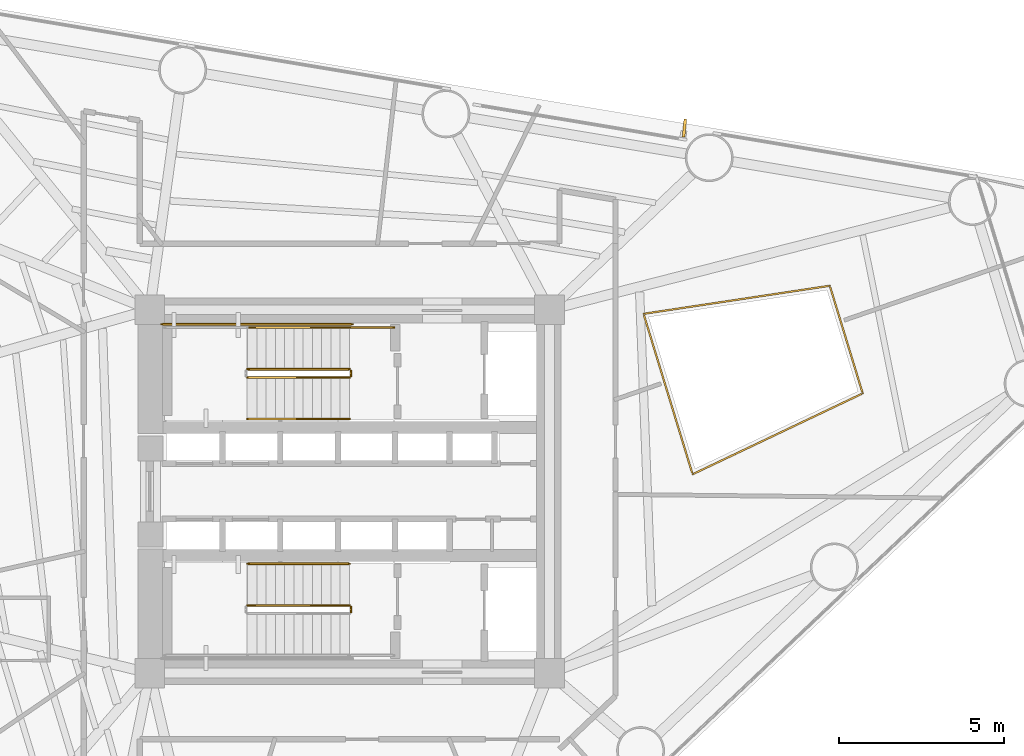
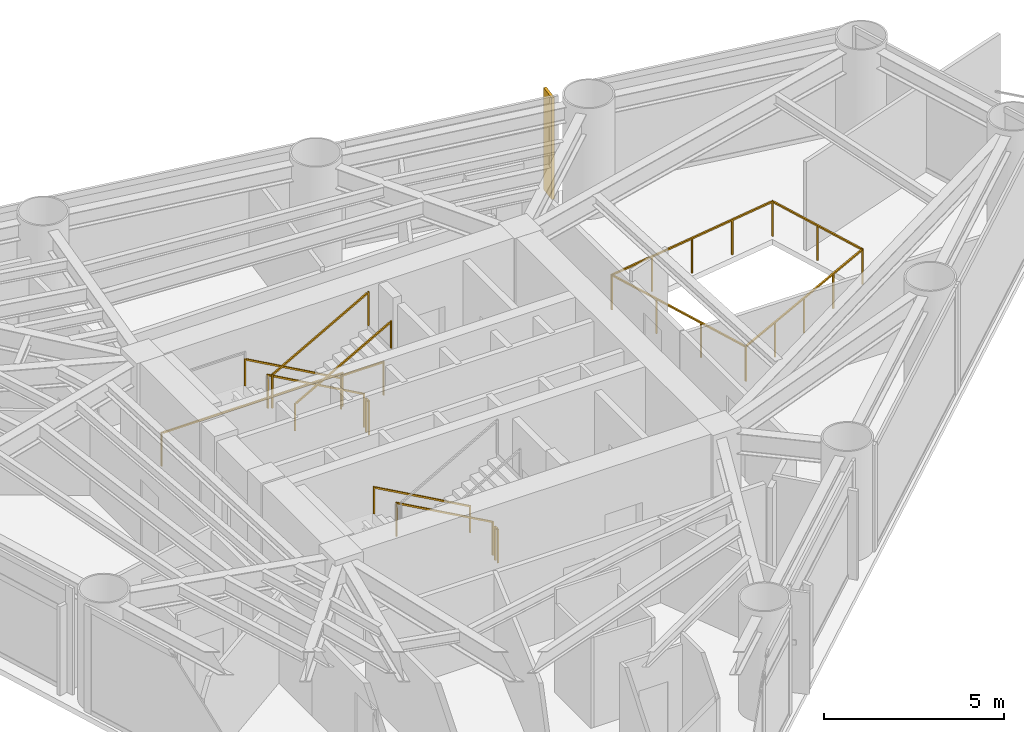
# One storey, part 9 of 10: 11 railings, 1 shading device.
"""IFC4 building model written with IfcOpenShell, lengths in metres."""

from ifc_helpers import new_model, si_unit, direction, frame, origin, origin_2d, place, context, subcontext, project, spatial, rectangle, extrude, source, transform, mapped, material, material_profile, profile_set, type_object, element, save


model = new_model("IFC4")

# Units and contexts
model_context = context("Model", 3, precision=1e-05, world=origin(), true_north=direction((0.0, 1.0)))
body_context = subcontext(model_context, "Body", "Model", "MODEL_VIEW")
ifc_project = project(units=[si_unit("LENGTHUNIT", "METRE"), si_unit("AREAUNIT", "SQUARE_METRE"), si_unit("VOLUMEUNIT", "CUBIC_METRE"), si_unit("PLANEANGLEUNIT", "RADIAN"), si_unit("MASSUNIT", "GRAM", prefix="KILO")], contexts=[model_context])

# Site, building, storey
site_placement = place(None, origin())
site = spatial("IfcSite", under=ifc_project, at=site_placement, CompositionType="ELEMENT")
building_placement = place(site_placement, origin())
building = spatial("IfcBuilding", under=site, at=building_placement, Name="Yunling Apex Tower", CompositionType="ELEMENT")
storey_placement = place(building_placement, frame((0.0, 0.0, 93.64990234375)))
storey = spatial("IfcBuildingStorey", under=building, at=storey_placement, Name="L23", CompositionType="ELEMENT", Elevation=93.64990234375)

# Railings
ifc_material_1 = material(Name="Bronze anodised aluminium", Category="aluminium")
railing_type_1 = type_object("IfcRailingType", Name="RL-BAL-1200", PredefinedType="BALUSTRADE", material=ifc_material_1)
railing_1_placement = place(storey_placement, frame((8.897216796875, 5.375244140625, 0.0)))
element("IfcRailing", 1, at=railing_1_placement, inside=storey, type_object=railing_type_1, Name="RL-TATR-L23", PredefinedType="BALUSTRADE", context=body_context, shape_type="SweptSolid", body=[
    extrude(rectangle(XDim=0.0439453125, YDim=0.0439453125, at=origin_2d()), origin(), (0.0, 0.0, 1.0), 1.199951171875),
    extrude(rectangle(XDim=0.0439453125, YDim=0.0439453125, at=origin_2d()), frame((5.637939453125, 0.849853515625, 0.0)), (0.0, 0.0, 1.0), 1.199951171875),
    extrude(rectangle(XDim=0.050048828125, YDim=0.050048828125, at=origin_2d()), frame((0.037841796875, 0.005615234375, 1.1748046875), z_axis=(0.988828994204, 0.149054420336, 0.0), x_axis=(-0.149054420336, 0.988828994204, 0.0)), (0.0, 0.0, 1.0), 5.625),
    extrude(rectangle(XDim=0.0439453125, YDim=0.0439453125, at=origin_2d()), frame((1.409423828125, 0.21240234375, 0.0)), (0.0, 0.0, 1.0), 1.14599609375),
    extrude(rectangle(XDim=0.0439453125, YDim=0.0439453125, at=origin_2d()), frame((2.81884765625, 0.4248046875, 0.0)), (0.0, 0.0, 1.0), 1.14599609375),
    extrude(rectangle(XDim=0.0439453125, YDim=0.0439453125, at=origin_2d()), frame((4.228515625, 0.637451171875, 0.0)), (0.0, 0.0, 1.0), 1.14599609375),
    extrude(rectangle(XDim=0.0439453125, YDim=0.0439453125, at=origin_2d()), frame((6.6337890625, -2.408203125, 0.0)), (0.0, 0.0, 1.0), 1.199951171875),
    extrude(rectangle(XDim=0.050048828125, YDim=0.050048828125, at=origin_2d()), frame((5.649169921875, 0.813232421875, 1.1748046875), z_axis=(0.292307744699, -0.956324308166, 0.0), x_axis=(0.956324308166, 0.292307744699, 0.0)), (0.0, 0.0, 1.0), 3.330078125),
    extrude(rectangle(XDim=0.0439453125, YDim=0.0439453125, at=origin_2d()), frame((6.1357421875, -0.779296875, 0.0)), (0.0, 0.0, 1.0), 1.14599609375),
    extrude(rectangle(XDim=0.0439453125, YDim=0.0439453125, at=origin_2d()), frame((1.484619140625, -4.856201171875, 0.0)), (0.0, 0.0, 1.0), 1.199951171875),
    extrude(rectangle(XDim=0.050048828125, YDim=0.050048828125, at=origin_2d()), frame((6.59912109375, -2.424560546875, 1.1748046875), z_axis=(-0.903131826937, -0.429363369622, 0.0), x_axis=(0.429363369622, -0.903131826937, 0.0)), (0.0, 0.0, 1.0), 5.624755859375),
    extrude(rectangle(XDim=0.0439453125, YDim=0.0439453125, at=origin_2d()), frame((5.346435546875, -3.020263671875, 0.0)), (0.0, 0.0, 1.0), 1.14599609375),
    extrude(rectangle(XDim=0.0439453125, YDim=0.0439453125, at=origin_2d()), frame((4.05908203125, -3.63232421875, 0.0)), (0.0, 0.0, 1.0), 1.14599609375),
    extrude(rectangle(XDim=0.0439453125, YDim=0.0439453125, at=origin_2d()), frame((2.77197265625, -4.244140625, 0.0)), (0.0, 0.0, 1.0), 1.14599609375),
    extrude(rectangle(XDim=0.050048828125, YDim=0.050048828125, at=origin_2d()), frame((1.473388671875, -4.819580078125, 1.1748046875), z_axis=(-0.292358998686, 0.956308640496, 0.0), x_axis=(-0.956308640496, -0.292358998686, 0.0)), (0.0, 0.0, 1.0), 5.00146484375),
    extrude(rectangle(XDim=0.0439453125, YDim=0.0439453125, at=origin_2d()), frame((0.98974609375, -3.237548828125, 0.0)), (0.0, 0.0, 1.0), 1.14599609375),
    extrude(rectangle(XDim=0.0439453125, YDim=0.0439453125, at=origin_2d()), frame((0.494873046875, -1.61865234375, 0.0)), (0.0, 0.0, 1.0), 1.14599609375),
])
ifc_material_2 = material(Name="Steel Q355B", Category="steel")
railing_type_2 = type_object("IfcRailingType", Name="RL-GRD-1150", PredefinedType="GUARDRAIL", material=ifc_material_2)
railing_2_placement = place(storey_placement, frame((-0.010009765625, 3.699951171875, 0.15625)))
element("IfcRailing", 2, at=railing_2_placement, inside=storey, type_object=railing_type_2, Name="L23 ST-1 stair guard 1", PredefinedType="GUARDRAIL", context=body_context, shape_type="SweptSolid", body=[
    extrude(rectangle(XDim=0.0439453125, YDim=0.0439453125, at=origin_2d()), origin(), (0.0, 0.0, 1.0), 1.14990234375),
    extrude(rectangle(XDim=0.0439453125, YDim=0.0439453125, at=origin_2d()), frame((-3.080078125, 0.0, 1.71875)), (0.0, 0.0, 1.0), 1.14990234375),
    extrude(rectangle(XDim=0.050048828125, YDim=0.050048828125, at=origin_2d()), frame((-0.033447265625, 0.0, 1.1435546875), z_axis=(-0.873241540666, 0.0, 0.487287606713), x_axis=(0.0, -1.0, 0.0)), (0.0, 0.0, 1.0), 3.450439453125),
])
railing_3_placement = place(storey_placement, frame((-3.090087890625, 3.449951171875, 2.03125)))
element("IfcRailing", 3, at=railing_3_placement, inside=storey, type_object=railing_type_2, Name="L23 ST-1 stair guard 4", PredefinedType="GUARDRAIL", context=body_context, shape_type="SweptSolid", body=[
    extrude(rectangle(XDim=0.0439453125, YDim=0.0439453125, at=origin_2d()), origin(), (0.0, 0.0, 1.0), 1.14990234375),
    extrude(rectangle(XDim=0.0439453125, YDim=0.0439453125, at=origin_2d()), frame((3.080078125, 0.0, 1.71875)), (0.0, 0.0, 1.0), 1.14990234375),
    extrude(rectangle(XDim=0.050048828125, YDim=0.050048828125, at=origin_2d()), frame((0.033447265625, 0.0, 1.1435546875), z_axis=(0.873241540666, 0.0, 0.487287606713), x_axis=(0.0, 1.0, 0.0)), (0.0, 0.0, 1.0), 3.450439453125),
])
railing_4_placement = place(storey_placement, frame((0.0400390625, 3.64990234375, 0.0)))
element("IfcRailing", 4, at=railing_4_placement, inside=storey, type_object=railing_type_2, Name="L23 ST-1 stair guard 5", PredefinedType="GUARDRAIL", context=body_context, shape_type="SweptSolid", body=[
    extrude(rectangle(XDim=0.0439453125, YDim=0.0439453125, at=origin_2d()), origin(), (0.0, 0.0, 1.0), 1.14990234375),
    extrude(rectangle(XDim=0.0439453125, YDim=0.0439453125, at=origin_2d()), frame((0.0, -0.14990234375, 0.0)), (0.0, 0.0, 1.0), 1.14990234375),
    extrude(rectangle(XDim=0.050048828125, YDim=0.050048828125, at=origin_2d()), frame((0.0, -0.038330078125, 1.125), z_axis=(0.0, -1.0, 0.0), x_axis=(1.0, 0.0, 0.0)), (0.0, 0.0, 1.0), 0.0732421875),
])
railing_5_placement = place(storey_placement, frame((1.35009765625, 4.9599609375, 0.0)))
element("IfcRailing", 5, at=railing_5_placement, inside=storey, type_object=railing_type_2, Name="L23 ST-1 stair guard 6", PredefinedType="GUARDRAIL", context=body_context, shape_type="SweptSolid", body=[
    extrude(rectangle(XDim=0.0439453125, YDim=0.0439453125, at=origin_2d()), origin(), (0.0, 0.0, 1.0), 1.14990234375),
    extrude(rectangle(XDim=0.0439453125, YDim=0.0439453125, at=origin_2d()), frame((-1.360107421875, 0.0, 0.0)), (0.0, 0.0, 1.0), 1.14990234375),
    extrude(rectangle(XDim=0.050048828125, YDim=0.050048828125, at=origin_2d()), frame((-0.038330078125, 0.0, 1.125), z_axis=(-1.0, 0.0, 0.0), x_axis=(0.0, -1.0, 0.0)), (0.0, 0.0, 1.0), 1.283447265625),
])
railing_6_placement = place(storey_placement, frame((0.090087890625, 5.06005859375, 0.0)))
element("IfcRailing", 6, at=railing_6_placement, inside=storey, type_object=railing_type_2, Name="L23 ST-1 stair guard 7", PredefinedType="GUARDRAIL", context=body_context, shape_type="SweptSolid", body=[
    extrude(rectangle(XDim=0.0439453125, YDim=0.0439453125, at=origin_2d()), origin(), (0.0, 0.0, 1.0), 1.14990234375),
    extrude(rectangle(XDim=0.0439453125, YDim=0.0439453125, at=origin_2d()), frame((-5.7900390625, 0.0, 0.0)), (0.0, 0.0, 1.0), 1.14990234375),
    extrude(rectangle(XDim=0.050048828125, YDim=0.050048828125, at=origin_2d()), frame((-0.038330078125, 0.0, 1.125), z_axis=(-1.0, 0.0, 0.0), x_axis=(0.0, -1.0, 0.0)), (0.0, 0.0, 1.0), 5.71337890625),
])
railing_7_placement = place(storey_placement, frame((-0.010009765625, -3.449951171875, 0.15625)))
element("IfcRailing", 7, at=railing_7_placement, inside=storey, type_object=railing_type_2, Name="L23 ST-2 stair guard 1", PredefinedType="GUARDRAIL", context=body_context, shape_type="SweptSolid", body=[
    extrude(rectangle(XDim=0.0439453125, YDim=0.0439453125, at=origin_2d()), origin(), (0.0, 0.0, 1.0), 1.14990234375),
    extrude(rectangle(XDim=0.0439453125, YDim=0.0439453125, at=origin_2d()), frame((-3.080078125, 0.0, 1.71875)), (0.0, 0.0, 1.0), 1.14990234375),
    extrude(rectangle(XDim=0.050048828125, YDim=0.050048828125, at=origin_2d()), frame((-0.033447265625, 0.0, 1.1435546875), z_axis=(-0.873241540666, 0.0, 0.487287606713), x_axis=(0.0, -1.0, 0.0)), (0.0, 0.0, 1.0), 3.450439453125),
])
railing_8_placement = place(storey_placement, frame((0.0400390625, -3.5, 0.0)))
element("IfcRailing", 8, at=railing_8_placement, inside=storey, type_object=railing_type_2, Name="L23 ST-2 stair guard 5", PredefinedType="GUARDRAIL", context=body_context, shape_type="SweptSolid", body=[
    extrude(rectangle(XDim=0.0439453125, YDim=0.0439453125, at=origin_2d()), origin(), (0.0, 0.0, 1.0), 1.14990234375),
    extrude(rectangle(XDim=0.0439453125, YDim=0.0439453125, at=origin_2d()), frame((0.0, -0.14990234375, 0.0)), (0.0, 0.0, 1.0), 1.14990234375),
    extrude(rectangle(XDim=0.050048828125, YDim=0.050048828125, at=origin_2d()), frame((0.0, -0.038330078125, 1.125), z_axis=(0.0, -1.0, 0.0), x_axis=(1.0, 0.0, 0.0)), (0.0, 0.0, 1.0), 0.0732421875),
])
ifc_material_3 = material(Name="Silver anodised aluminium", Category="aluminium")
railing_type_3 = type_object("IfcRailingType", Name="RL-HND-900", PredefinedType="HANDRAIL", material=ifc_material_3)
railing_9_placement = place(storey_placement, frame((-0.010009765625, 4.9599609375, 0.15625)))
element("IfcRailing", 9, at=railing_9_placement, inside=storey, type_object=railing_type_3, Name="L23 ST-1 stair handrail 1", PredefinedType="HANDRAIL", context=body_context, shape_type="SweptSolid", body=[
    extrude(rectangle(XDim=0.0439453125, YDim=0.0439453125, at=origin_2d()), origin(), (0.0, 0.0, 1.0), 0.919921875),
    extrude(rectangle(XDim=0.0439453125, YDim=0.0439453125, at=origin_2d()), frame((-3.080078125, 0.0, 1.71875)), (0.0, 0.0, 1.0), 0.919921875),
    extrude(rectangle(XDim=0.050048828125, YDim=0.050048828125, at=origin_2d()), frame((-0.033447265625, 0.0, 0.91357421875), z_axis=(-0.873241540666, 0.0, 0.487287606713), x_axis=(0.0, -1.0, 0.0)), (0.0, 0.0, 1.0), 3.450439453125),
])
railing_10_placement = place(storey_placement, frame((-3.090087890625, 2.18994140625, 2.03125)))
element("IfcRailing", 10, at=railing_10_placement, inside=storey, type_object=railing_type_3, Name="L23 ST-1 stair handrail 2", PredefinedType="HANDRAIL", context=body_context, shape_type="SweptSolid", body=[
    extrude(rectangle(XDim=0.0439453125, YDim=0.0439453125, at=origin_2d()), origin(), (0.0, 0.0, 1.0), 0.919921875),
    extrude(rectangle(XDim=0.0439453125, YDim=0.0439453125, at=origin_2d()), frame((3.080078125, 0.0, 1.71875)), (0.0, 0.0, 1.0), 0.919921875),
    extrude(rectangle(XDim=0.050048828125, YDim=0.050048828125, at=origin_2d()), frame((0.033447265625, 0.0, 0.91357421875), z_axis=(0.873241540666, 0.0, 0.487287606713), x_axis=(0.0, 1.0, 0.0)), (0.0, 0.0, 1.0), 3.450439453125),
])
railing_11_placement = place(storey_placement, frame((-0.010009765625, -2.18994140625, 0.15625)))
element("IfcRailing", 11, at=railing_11_placement, inside=storey, type_object=railing_type_3, Name="L23 ST-2 stair handrail 1", PredefinedType="HANDRAIL", context=body_context, shape_type="SweptSolid", body=[
    extrude(rectangle(XDim=0.0439453125, YDim=0.0439453125, at=origin_2d()), origin(), (0.0, 0.0, 1.0), 0.919921875),
    extrude(rectangle(XDim=0.0439453125, YDim=0.0439453125, at=origin_2d()), frame((-3.080078125, 0.0, 1.71875)), (0.0, 0.0, 1.0), 0.919921875),
    extrude(rectangle(XDim=0.050048828125, YDim=0.050048828125, at=origin_2d()), frame((-0.033447265625, 0.0, 0.91357421875), z_axis=(-0.873241540666, 0.0, 0.487287606713), x_axis=(0.0, -1.0, 0.0)), (0.0, 0.0, 1.0), 3.450439453125),
])

# Shading device
ifc_material_profile = material_profile(ifc_material_1, rectangle(XDim=0.0849609375, YDim=0.550048828125, at=origin_2d()))
ifc_profile_set = profile_set([ifc_material_profile], Name="Bronze anodised aluminium")
shading_device_type = type_object("IfcShadingDeviceType", Name="FN-BRZ-3", PredefinedType="USERDEFINED", material=ifc_profile_set)
shared_shape = source(origin(), body_context, "Body", "SweptSolid", [
    extrude(rectangle(XDim=0.0849609375, YDim=0.550048828125, at=origin_2d()), origin(), (0.0, 0.0, 1.0), 3.445068359375),
])
shading_device_placement = place(storey_placement, frame((10.135498046875, 11.00146484375, 0.06005859375), z_axis=(0.0, 0.0, 1.0), x_axis=(-0.995038220239, 0.099493418189, 0.0)))
element("IfcShadingDevice", 12, at=shading_device_placement, inside=storey, type_object=shading_device_type, Name="CW-L23-F2-B2-FIN-01", ObjectType="FIN", PredefinedType="USERDEFINED", context=body_context, shape_type="MappedRepresentation", body=[
    mapped(shared_shape, transform((0.0, 0.0, 0.0), scale=1.0)),
])

save(model, "model.ifc")
